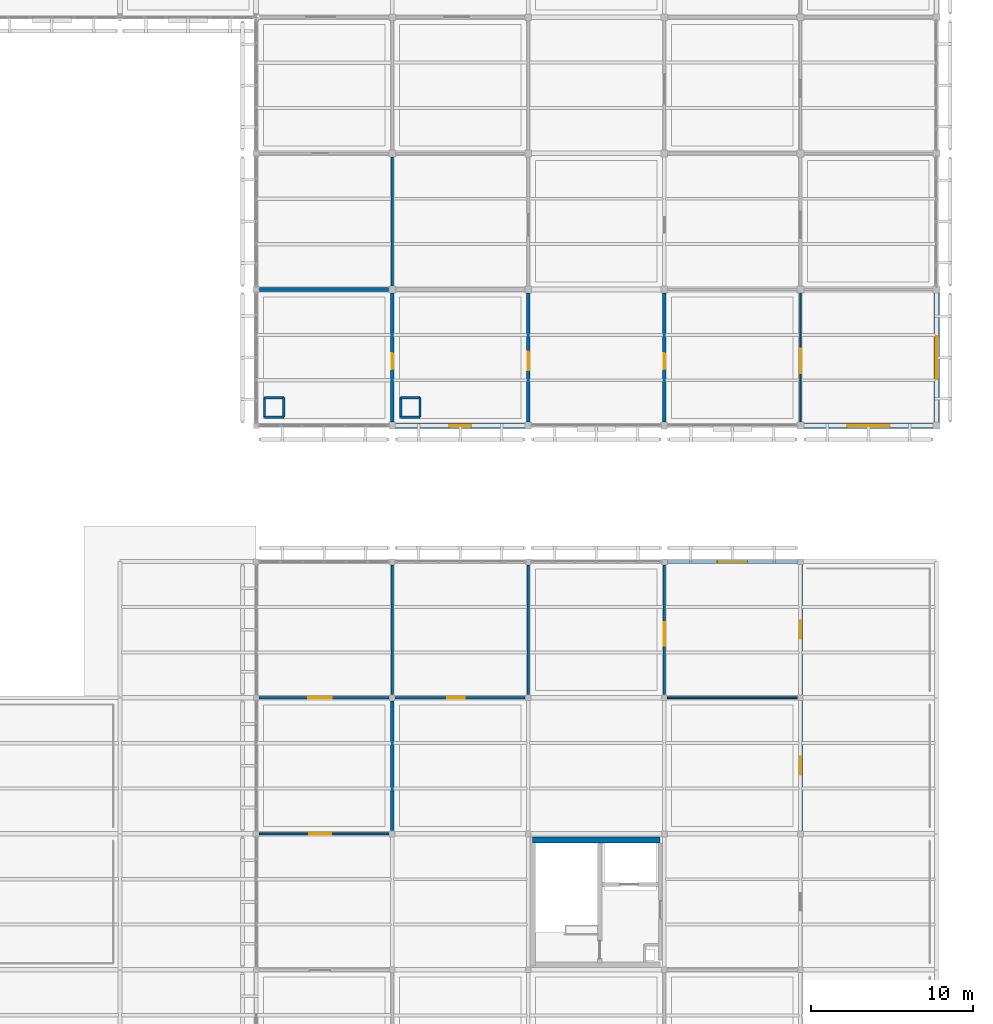
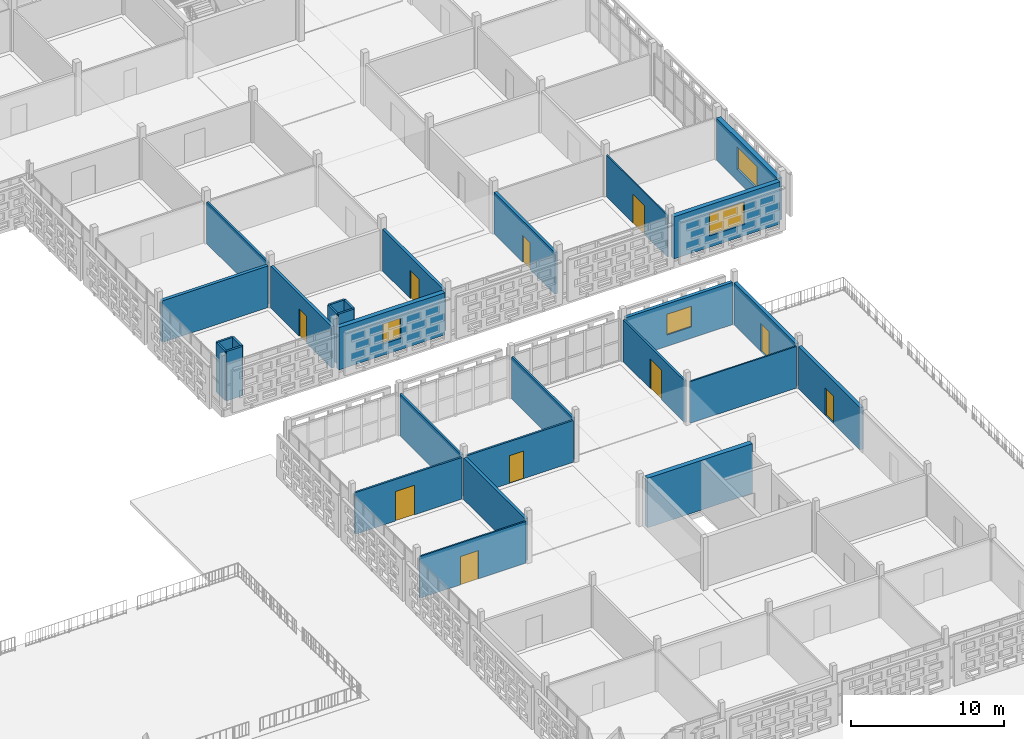
# One storey, part 104 of 166: 29 walls, 10 doors, 4 windows, 14 openings.
"""IFC4 building model written with IfcOpenShell, lengths in metres."""

from ifc_helpers import new_model, si_unit, direction, frame, frame_2d, origin, place, context, subcontext, project, spatial, rectangle, extrude, material, layer, layer_set, type_object, element, fill, save


model = new_model("IFC4")

# Units and contexts
model_context = context("Model", 3, precision=1e-05, world=origin(), true_north=direction((0.0, 1.0)))
body_context = subcontext(model_context, "Body", "Model", "MODEL_VIEW")
ifc_project = project(units=[si_unit("LENGTHUNIT", "METRE"), si_unit("AREAUNIT", "SQUARE_METRE"), si_unit("VOLUMEUNIT", "CUBIC_METRE"), si_unit("PLANEANGLEUNIT", "RADIAN"), si_unit("MASSUNIT", "GRAM", prefix="KILO")], contexts=[model_context])

# Site, building, storey
site_placement = place(None, origin())
site = spatial("IfcSite", under=ifc_project, at=site_placement, CompositionType="ELEMENT")
building_placement = place(site_placement, origin())
building = spatial("IfcBuilding", under=site, at=building_placement, Name="Varnapada Polytechnic", CompositionType="ELEMENT")
storey_placement = place(building_placement, frame((0.0, 0.0, 9.60009765625)))
storey = spatial("IfcBuildingStorey", under=building, at=storey_placement, Name="L02", CompositionType="ELEMENT", Elevation=9.60009765625)

# Walls
ifc_material_1 = material(Name="Autoclaved Aerated Concrete Block AAC-600", Category="concrete")
ifc_layer_1 = layer(ifc_material_1, 0.14990234375)
ifc_layer_set_1 = layer_set([ifc_layer_1], Name="Autoclaved Aerated Concrete Block AAC-600")
wall_type_1 = type_object("IfcWallType", Name="Interior Wall IW-02", PredefinedType="PARTITIONING", material=ifc_layer_set_1)
wall_1_placement = place(storey_placement, frame((134.919921875, 59.320068359375, 0.0), z_axis=(0.0, 0.0, 1.0), x_axis=(1.0, 0.0, 0.0)))
element("IfcWall", 1, at=wall_1_placement, inside=storey, type_object=wall_type_1, Name="L02 enclosed service riser wall (17,8) S", PredefinedType="PARTITIONING", context=body_context, shape_type="SweptSolid", body=[
    extrude(rectangle(XDim=1.2001953125, YDim=0.14990234375, at=frame_2d((0.60009765625, 0.0))), origin(), (0.0, 0.0, 1.0), 3.929931640625),
])
wall_2_placement = place(storey_placement, frame((136.1201171875, 59.320068359375, 0.0), z_axis=(0.0, 0.0, 1.0), x_axis=(0.0, 1.0, 0.0)))
element("IfcWall", 2, at=wall_2_placement, inside=storey, type_object=wall_type_1, Name="L02 enclosed service riser wall (17,8) E", PredefinedType="PARTITIONING", context=body_context, shape_type="SweptSolid", body=[
    extrude(rectangle(XDim=1.199951171875, YDim=0.14990234375, at=frame_2d((0.60009765625, 0.0))), origin(), (0.0, 0.0, 1.0), 3.929931640625),
])
wall_3_placement = place(storey_placement, frame((136.1201171875, 60.52001953125, 0.0), z_axis=(0.0, 0.0, 1.0), x_axis=(-1.0, 0.0, 0.0)))
element("IfcWall", 3, at=wall_3_placement, inside=storey, type_object=wall_type_1, Name="L02 enclosed service riser wall (17,8) N", PredefinedType="PARTITIONING", context=body_context, shape_type="SweptSolid", body=[
    extrude(rectangle(XDim=1.2001953125, YDim=0.14990234375, at=frame_2d((0.60009765625, 0.0))), origin(), (0.0, 0.0, 1.0), 3.929931640625),
])
wall_4_placement = place(storey_placement, frame((134.919921875, 60.52001953125, 0.0), z_axis=(0.0, 0.0, 1.0), x_axis=(0.0, -1.0, 0.0)))
element("IfcWall", 4, at=wall_4_placement, inside=storey, type_object=wall_type_1, Name="L02 enclosed service riser wall (17,8) W", PredefinedType="PARTITIONING", context=body_context, shape_type="SweptSolid", body=[
    extrude(rectangle(XDim=1.199951171875, YDim=0.14990234375, at=frame_2d((0.60009765625, 0.0))), origin(), (0.0, 0.0, 1.0), 3.929931640625),
])
for number, where, z_axis, x_axis, name in (
    (5, (143.320068359375, 59.320068359375, 0.0), (0.0, 0.0, 1.0), (1.0, 0.0, 0.0), "L02 enclosed service riser wall (18,8) S"),
    (6, (144.52001953125, 59.320068359375, 0.0), (0.0, 0.0, 1.0), (0.0, 1.0, 0.0), "L02 enclosed service riser wall (18,8) E"),
    (7, (144.52001953125, 60.52001953125, 0.0), (0.0, 0.0, 1.0), (-1.0, 0.0, 0.0), "L02 enclosed service riser wall (18,8) N"),
    (8, (143.320068359375, 60.52001953125, 0.0), (0.0, 0.0, 1.0), (0.0, -1.0, 0.0), "L02 enclosed service riser wall (18,8) W"),
):
    element("IfcWall", number, at=place(storey_placement, frame(where, z_axis=z_axis, x_axis=x_axis)), inside=storey, type_object=wall_type_1, Name=name, PredefinedType="PARTITIONING", context=body_context, shape_type="SweptSolid", body=[
        extrude(rectangle(XDim=1.199951171875, YDim=0.14990234375, at=frame_2d((0.60009765625, 0.0))), origin(), (0.0, 0.0, 1.0), 3.9599609375),
    ])
wall_5_placement = place(storey_placement, frame((142.800048828125, 67.429931640625, 0.0), z_axis=(0.0, 0.0, 1.0), x_axis=(0.0, 1.0, 0.0)))
element("IfcWall", 9, at=wall_5_placement, inside=storey, type_object=wall_type_1, Name="L02 interior partition IW-L02-16-08-V", PredefinedType="PARTITIONING", context=body_context, shape_type="SweptSolid", body=[
    extrude(rectangle(XDim=7.940185546875, YDim=0.14990234375, at=frame_2d((3.97021484375, 0.0))), origin(), (0.0, 0.0, 1.0), 3.31982421875),
])
ifc_material_2 = material(Name="Glazed Timber-Framed Studio Screen", Category="wood")
ifc_layer_2 = layer(ifc_material_2, 0.110107421875)
ifc_layer_set_2 = layer_set([ifc_layer_2], Name="Glazed Timber-Framed Studio Screen")
wall_type_2 = type_object("IfcWallType", Name="Interior Wall IW-07", PredefinedType="PARTITIONING", material=ifc_layer_set_2)
wall_6_placement = place(storey_placement, frame((159.7900390625, 42.0, 0.0), z_axis=(0.0, 0.0, 1.0), x_axis=(1.0, 0.0, 0.0)))
element("IfcWall", 10, at=wall_6_placement, inside=storey, type_object=wall_type_2, Name="L02 interior partition IW-L02-19-04-H", PredefinedType="PARTITIONING", context=body_context, shape_type="SweptSolid", body=[
    extrude(rectangle(XDim=8.02001953125, YDim=0.110107421875, at=frame_2d((4.010009765625, 0.0))), origin(), (0.0, 0.0, 1.0), 3.31982421875),
])

# Wall, opening, door
ifc_material_3 = material(Name="Operable Acoustic Seminar Partition")
ifc_layer_3 = layer(ifc_material_3, 0.10009765625)
ifc_layer_set_3 = layer_set([ifc_layer_3], Name="Operable Acoustic Seminar Partition")
wall_type_3 = type_object("IfcWallType", Name="Interior Wall IW-08", PredefinedType="MOVABLE", material=ifc_layer_set_3)
wall_7_placement = place(storey_placement, frame((168.0, 59.030029296875, 0.0), z_axis=(0.0, 0.0, 1.0), x_axis=(0.0, 1.0, 0.0)))
wall_7 = element("IfcWall", 11, at=wall_7_placement, inside=storey, type_object=wall_type_3, Name="L02 interior partition IW-L02-19-07-V", PredefinedType="MOVABLE", context=body_context, shape_type="SweptSolid", body=[
    extrude(rectangle(XDim=7.93994140625, YDim=0.10009765625, at=frame_2d((3.969970703125, 0.0))), origin(), (0.0, 0.0, 1.0), 3.31982421875),
])
opening_1_placement = place(wall_7_placement, frame((3.0, 0.0, 0.0)))
opening_1 = element("IfcOpeningElement", 12, at=opening_1_placement, cuts=wall_7, Name="Opening D-1178", PredefinedType="OPENING", context=body_context, shape_type="SweptSolid", body=[
    extrude(rectangle(XDim=1.5, YDim=2.300048828125, at=frame_2d((0.75, 1.14990234375))), frame((0.0, 0.06005859375, 0.0), z_axis=(0.0, -1.0, 0.0), x_axis=(1.0, 0.0, 0.0)), (0.0, 0.0, 1.0), 0.1201171875),
])
ifc_material_4 = material(Name="Galvanized Steel Z275", Category="steel")
door_type_1 = type_object("IfcDoorType", Name="Interior Door ID-07", OperationType="NOTDEFINED", PredefinedType="DOOR", material=ifc_material_4)
door_1_placement = place(opening_1_placement, frame((1.5, 0.0, 0.0), z_axis=(0.0, 0.0, 1.0), x_axis=(-1.0, 0.0, 0.0)))
door_1 = element("IfcDoor", 13, at=door_1_placement, inside=storey, type_object=door_type_1, Name="L02 interior room door D-1178", OperationType="SINGLE_SWING_LEFT", OverallHeight=2.300048828125, OverallWidth=1.5, PredefinedType="DOOR", context=body_context, shape_type="SweptSolid", body=[
    extrude(rectangle(XDim=1.5, YDim=2.300048828125, at=frame_2d((0.75, 1.14990234375))), frame((0.0, 0.02490234375, 0.0), z_axis=(0.0, -1.0, 0.0), x_axis=(1.0, 0.0, 0.0)), (0.0, 0.0, 1.0), 0.050048828125),
])
fill(opening_1, door_1)

ifc_material_5 = material(Name="Timber-Stud Studio Critique Partition", Category="wood")
ifc_layer_4 = layer(ifc_material_5, 0.114990234375)
ifc_layer_set_4 = layer_set([ifc_layer_4], Name="Timber-Stud Studio Critique Partition")
wall_type_4 = type_object("IfcWallType", Name="Interior Wall IW-12", PredefinedType="PARTITIONING", material=ifc_layer_set_4)
wall_8_placement = place(storey_placement, frame((134.60009765625, 33.60009765625, 0.0), z_axis=(0.0, 0.0, 1.0), x_axis=(1.0, 0.0, 0.0)))
wall_8 = element("IfcWall", 14, at=wall_8_placement, inside=storey, type_object=wall_type_4, Name="L02 interior partition IW-L02-16-03-H", PredefinedType="PARTITIONING", context=body_context, shape_type="SweptSolid", body=[
    extrude(rectangle(XDim=8.0, YDim=0.114990234375, at=frame_2d((4.0, 0.0))), origin(), (0.0, 0.0, 1.0), 3.31982421875),
])
opening_2_placement = place(wall_8_placement, frame((3.074951171875, 0.0, 0.0)))
opening_2 = element("IfcOpeningElement", 15, at=opening_2_placement, cuts=wall_8, Name="Opening D-1154", PredefinedType="OPENING", context=body_context, shape_type="SweptSolid", body=[
    extrude(rectangle(XDim=1.35009765625, YDim=2.25, at=frame_2d((0.675048828125, 1.125))), frame((0.0, 0.0673828125, 0.0), z_axis=(0.0, -1.0, 0.0), x_axis=(1.0, 0.0, 0.0)), (0.0, 0.0, 1.0), 0.135009765625),
])
ifc_material_6 = material(Name="Powder-Coated Aluminium 6063-T6", Category="aluminium")
door_type_2 = type_object("IfcDoorType", Name="Interior Door ID-17", OperationType="NOTDEFINED", PredefinedType="DOOR", material=ifc_material_6)
door_2_placement = place(opening_2_placement, frame((1.35009765625, 0.0, 0.0), z_axis=(0.0, 0.0, 1.0), x_axis=(-1.0, 0.0, 0.0)))
door_2 = element("IfcDoor", 16, at=door_2_placement, inside=storey, type_object=door_type_2, Name="L02 interior room door D-1154", OperationType="SINGLE_SWING_LEFT", OverallHeight=2.25, OverallWidth=1.35009765625, PredefinedType="DOOR", context=body_context, shape_type="SweptSolid", body=[
    extrude(rectangle(XDim=1.35009765625, YDim=2.25, at=frame_2d((0.675048828125, 1.125))), frame((0.0, 0.02490234375, 0.0), z_axis=(0.0, -1.0, 0.0), x_axis=(1.0, 0.0, 0.0)), (0.0, 0.0, 1.0), 0.050048828125),
])
fill(opening_2, door_2)

# Wall
ifc_material_7 = material(Name="Heavy Acoustic Auditorium Baffle Wall")
ifc_layer_5 = layer(ifc_material_7, 0.219970703125)
ifc_layer_set_5 = layer_set([ifc_layer_5], Name="Heavy Acoustic Auditorium Baffle Wall")
wall_type_5 = type_object("IfcWallType", Name="Interior Wall IW-13", PredefinedType="PARTITIONING", material=ifc_layer_set_5)
wall_9_placement = place(storey_placement, frame((142.800048828125, 33.800048828125, 0.0), z_axis=(0.0, 0.0, 1.0), x_axis=(0.0, 1.0, 0.0)))
element("IfcWall", 17, at=wall_9_placement, inside=storey, type_object=wall_type_5, Name="L02 interior partition IW-L02-16-04-V", PredefinedType="PARTITIONING", context=body_context, shape_type="SweptSolid", body=[
    extrude(rectangle(XDim=8.010009765625, YDim=0.219970703125, at=frame_2d((4.0048828125, 0.0))), origin(), (0.0, 0.0, 1.0), 3.31982421875),
])

# Wall, opening, door
ifc_material_8 = material(Name="Ceramic-Tiled Wet Laboratory Wall")
ifc_layer_6 = layer(ifc_material_8, 0.14501953125)
ifc_layer_set_6 = layer_set([ifc_layer_6], Name="Ceramic-Tiled Wet Laboratory Wall")
wall_type_6 = type_object("IfcWallType", Name="Interior Wall IW-14", PredefinedType="PARTITIONING", material=ifc_layer_set_6)
wall_10_placement = place(storey_placement, frame((134.590087890625, 42.0, 0.0), z_axis=(0.0, 0.0, 1.0), x_axis=(1.0, 0.0, 0.0)))
wall_10 = element("IfcWall", 18, at=wall_10_placement, inside=storey, type_object=wall_type_6, Name="L02 interior partition IW-L02-16-04-H", PredefinedType="PARTITIONING", context=body_context, shape_type="SweptSolid", body=[
    extrude(rectangle(XDim=8.02001953125, YDim=0.14501953125, at=frame_2d((4.010009765625, 0.0))), origin(), (0.0, 0.0, 1.0), 3.31982421875),
])
opening_3_placement = place(wall_10_placement, frame((3.02490234375, 0.0, 0.0)))
opening_3 = element("IfcOpeningElement", 19, at=opening_3_placement, cuts=wall_10, Name="Opening D-1155", PredefinedType="OPENING", context=body_context, shape_type="SweptSolid", body=[
    extrude(rectangle(XDim=1.449951171875, YDim=2.35009765625, at=frame_2d((0.72509765625, 1.175048828125))), frame((0.0, 0.08251953125, 0.0), z_axis=(0.0, -1.0, 0.0), x_axis=(1.0, 0.0, 0.0)), (0.0, 0.0, 1.0), 0.1650390625),
])
door_type_3 = type_object("IfcDoorType", Name="Interior Door ID-18", OperationType="NOTDEFINED", PredefinedType="DOOR", material=ifc_material_4)
door_3_placement = place(opening_3_placement, origin())
door_3 = element("IfcDoor", 20, at=door_3_placement, inside=storey, type_object=door_type_3, Name="L02 interior room door D-1155", OperationType="SINGLE_SWING_RIGHT", OverallHeight=2.35009765625, OverallWidth=1.449951171875, PredefinedType="DOOR", context=body_context, shape_type="SweptSolid", body=[
    extrude(rectangle(XDim=1.449951171875, YDim=2.35009765625, at=frame_2d((0.72509765625, 1.175048828125))), frame((0.0, 0.02490234375, 0.0), z_axis=(0.0, -1.0, 0.0), x_axis=(1.0, 0.0, 0.0)), (0.0, 0.0, 1.0), 0.050048828125),
])
fill(opening_3, door_3)

wall_11_placement = place(storey_placement, frame((142.989990234375, 42.0, 0.0), z_axis=(0.0, 0.0, 1.0), x_axis=(1.0, 0.0, 0.0)))
wall_11 = element("IfcWall", 21, at=wall_11_placement, inside=storey, type_object=wall_type_6, Name="L02 interior partition IW-L02-17-04-H", PredefinedType="PARTITIONING", context=body_context, shape_type="SweptSolid", body=[
    extrude(rectangle(XDim=8.02001953125, YDim=0.14501953125, at=frame_2d((4.010009765625, 0.0))), origin(), (0.0, 0.0, 1.0), 3.31982421875),
])
opening_4_placement = place(wall_11_placement, frame((3.22509765625, 0.0, 0.0)))
opening_4 = element("IfcOpeningElement", 22, at=opening_4_placement, cuts=wall_11, Name="Opening D-1163", PredefinedType="OPENING", context=body_context, shape_type="SweptSolid", body=[
    extrude(rectangle(XDim=1.050048828125, YDim=2.199951171875, at=frame_2d((0.52490234375, 1.10009765625))), frame((0.0, 0.08251953125, 0.0), z_axis=(0.0, -1.0, 0.0), x_axis=(1.0, 0.0, 0.0)), (0.0, 0.0, 1.0), 0.1650390625),
])
ifc_material_9 = material(Name="Solid Teak Hardwood Timber", Category="wood")
door_type_4 = type_object("IfcDoorType", Name="Interior Door ID-09", OperationType="NOTDEFINED", PredefinedType="DOOR", material=ifc_material_9)
door_4_placement = place(opening_4_placement, frame((1.050048828125, 0.0, 0.0), z_axis=(0.0, 0.0, 1.0), x_axis=(-1.0, 0.0, 0.0)))
door_4 = element("IfcDoor", 23, at=door_4_placement, inside=storey, type_object=door_type_4, Name="L02 interior room door D-1163", OperationType="SINGLE_SWING_RIGHT", OverallHeight=2.199951171875, OverallWidth=1.050048828125, PredefinedType="DOOR", context=body_context, shape_type="SweptSolid", body=[
    extrude(rectangle(XDim=1.050048828125, YDim=2.199951171875, at=frame_2d((0.52490234375, 1.10009765625))), frame((0.0, 0.02490234375, 0.0), z_axis=(0.0, -1.0, 0.0), x_axis=(1.0, 0.0, 0.0)), (0.0, 0.0, 1.0), 0.050048828125),
])
fill(opening_4, door_4)

# Walls
ifc_material_10 = material(Name="Perforated Timber-Lined Seminar Wall", Category="wood")
ifc_layer_7 = layer(ifc_material_10, 0.155029296875)
ifc_layer_set_7 = layer_set([ifc_layer_7], Name="Perforated Timber-Lined Seminar Wall")
wall_type_7 = type_object("IfcWallType", Name="Interior Wall IW-15", PredefinedType="PARTITIONING", material=ifc_layer_set_7)
for number, where, z_axis, x_axis, name in (
    (24, (142.800048828125, 42.18994140625, 0.0), (0.0, 0.0, 1.0), (0.0, 1.0, 0.0), "L02 interior partition IW-L02-16-05-V"),
    (25, (151.199951171875, 42.18994140625, 0.0), (0.0, 0.0, 1.0), (0.0, 1.0, 0.0), "L02 interior partition IW-L02-17-05-V"),
):
    element("IfcWall", number, at=place(storey_placement, frame(where, z_axis=z_axis, x_axis=x_axis)), inside=storey, type_object=wall_type_7, Name=name, PredefinedType="PARTITIONING", context=body_context, shape_type="SweptSolid", body=[
        extrude(rectangle(XDim=8.010009765625, YDim=0.155029296875, at=frame_2d((4.0048828125, 0.0))), origin(), (0.0, 0.0, 1.0), 3.31982421875),
    ])

# Wall, opening, door
wall_12_placement = place(storey_placement, frame((159.60009765625, 42.18994140625, 0.0), z_axis=(0.0, 0.0, 1.0), x_axis=(0.0, 1.0, 0.0)))
wall_12 = element("IfcWall", 26, at=wall_12_placement, inside=storey, type_object=wall_type_7, Name="L02 interior partition IW-L02-18-05-V", PredefinedType="PARTITIONING", context=body_context, shape_type="SweptSolid", body=[
    extrude(rectangle(XDim=8.010009765625, YDim=0.155029296875, at=frame_2d((4.0048828125, 0.0))), origin(), (0.0, 0.0, 1.0), 3.31982421875),
])
opening_5_placement = place(wall_12_placement, frame((3.02490234375, 0.0, 0.0)))
opening_5 = element("IfcOpeningElement", 27, at=opening_5_placement, cuts=wall_12, Name="Opening D-1172", PredefinedType="OPENING", context=body_context, shape_type="SweptSolid", body=[
    extrude(rectangle(XDim=1.449951171875, YDim=2.35009765625, at=frame_2d((0.72509765625, 1.175048828125))), frame((0.0, 0.08740234375, 0.0), z_axis=(0.0, -1.0, 0.0), x_axis=(1.0, 0.0, 0.0)), (0.0, 0.0, 1.0), 0.175048828125),
])
door_5_placement = place(opening_5_placement, frame((1.449951171875, 0.0, 0.0), z_axis=(0.0, 0.0, 1.0), x_axis=(-1.0, 0.0, 0.0)))
door_5 = element("IfcDoor", 28, at=door_5_placement, inside=storey, type_object=door_type_3, Name="L02 interior room door D-1172", OperationType="SINGLE_SWING_LEFT", OverallHeight=2.35009765625, OverallWidth=1.449951171875, PredefinedType="DOOR", context=body_context, shape_type="SweptSolid", body=[
    extrude(rectangle(XDim=1.449951171875, YDim=2.35009765625, at=frame_2d((0.72509765625, 1.175048828125))), frame((0.0, 0.02490234375, 0.0), z_axis=(0.0, -1.0, 0.0), x_axis=(1.0, 0.0, 0.0)), (0.0, 0.0, 1.0), 0.050048828125),
])
fill(opening_5, door_5)

ifc_material_11 = material(Name="Heavy Masonry Workshop Partition", Category="masonry")
ifc_layer_8 = layer(ifc_material_11, 0.2099609375)
ifc_layer_set_8 = layer_set([ifc_layer_8], Name="Heavy Masonry Workshop Partition")
wall_type_8 = type_object("IfcWallType", Name="Interior Wall IW-16", PredefinedType="PARTITIONING", material=ifc_layer_set_8)
wall_13_placement = place(storey_placement, frame((142.800048828125, 59.030029296875, 0.0), z_axis=(0.0, 0.0, 1.0), x_axis=(0.0, 1.0, 0.0)))
wall_13 = element("IfcWall", 29, at=wall_13_placement, inside=storey, type_object=wall_type_8, Name="L02 interior partition IW-L02-16-07-V", PredefinedType="PARTITIONING", context=body_context, shape_type="SweptSolid", body=[
    extrude(rectangle(XDim=7.93994140625, YDim=0.2099609375, at=frame_2d((3.969970703125, 0.0))), origin(), (0.0, 0.0, 1.0), 3.31982421875),
])
opening_6_placement = place(wall_13_placement, frame((3.25, 0.0, 0.0)))
opening_6 = element("IfcOpeningElement", 30, at=opening_6_placement, cuts=wall_13, Name="Opening D-1156", PredefinedType="OPENING", context=body_context, shape_type="SweptSolid", body=[
    extrude(rectangle(XDim=1.0, YDim=2.14990234375, at=frame_2d((0.5, 1.074951171875))), frame((0.0, 0.114990234375, 0.0), z_axis=(0.0, -1.0, 0.0), x_axis=(1.0, 0.0, 0.0)), (0.0, 0.0, 1.0), 0.22998046875),
])
door_type_5 = type_object("IfcDoorType", Name="Interior Door ID-02", OperationType="NOTDEFINED", PredefinedType="DOOR", material=ifc_material_9)
door_6_placement = place(opening_6_placement, origin())
door_6 = element("IfcDoor", 31, at=door_6_placement, inside=storey, type_object=door_type_5, Name="L02 interior room door D-1156", OperationType="SINGLE_SWING_LEFT", OverallHeight=2.14990234375, OverallWidth=1.0, PredefinedType="DOOR", context=body_context, shape_type="SweptSolid", body=[
    extrude(rectangle(XDim=1.0, YDim=2.14990234375, at=frame_2d((0.5, 1.074951171875))), frame((0.0, 0.02490234375, 0.0), z_axis=(0.0, -1.0, 0.0), x_axis=(1.0, 0.0, 0.0)), (0.0, 0.0, 1.0), 0.050048828125),
])
fill(opening_6, door_6)

wall_14_placement = place(storey_placement, frame((151.199951171875, 59.030029296875, 0.0), z_axis=(0.0, 0.0, 1.0), x_axis=(0.0, 1.0, 0.0)))
wall_14 = element("IfcWall", 32, at=wall_14_placement, inside=storey, type_object=wall_type_8, Name="L02 interior partition IW-L02-17-07-V", PredefinedType="PARTITIONING", context=body_context, shape_type="SweptSolid", body=[
    extrude(rectangle(XDim=7.93994140625, YDim=0.2099609375, at=frame_2d((3.969970703125, 0.0))), origin(), (0.0, 0.0, 1.0), 3.31982421875),
])
opening_7_placement = place(wall_14_placement, frame((3.175048828125, 0.0, 0.0)))
opening_7 = element("IfcOpeningElement", 33, at=opening_7_placement, cuts=wall_14, Name="Opening D-1164", PredefinedType="OPENING", context=body_context, shape_type="SweptSolid", body=[
    extrude(rectangle(XDim=1.14990234375, YDim=2.25, at=frame_2d((0.574951171875, 1.125))), frame((0.0, 0.114990234375, 0.0), z_axis=(0.0, -1.0, 0.0), x_axis=(1.0, 0.0, 0.0)), (0.0, 0.0, 1.0), 0.22998046875),
])
door_type_6 = type_object("IfcDoorType", Name="Interior Door ID-10", OperationType="NOTDEFINED", PredefinedType="DOOR", material=ifc_material_6)
door_7_placement = place(opening_7_placement, origin())
door_7 = element("IfcDoor", 34, at=door_7_placement, inside=storey, type_object=door_type_6, Name="L02 interior room door D-1164", OperationType="SINGLE_SWING_LEFT", OverallHeight=2.25, OverallWidth=1.14990234375, PredefinedType="DOOR", context=body_context, shape_type="SweptSolid", body=[
    extrude(rectangle(XDim=1.14990234375, YDim=2.25, at=frame_2d((0.574951171875, 1.125))), frame((0.0, 0.02490234375, 0.0), z_axis=(0.0, -1.0, 0.0), x_axis=(1.0, 0.0, 0.0)), (0.0, 0.0, 1.0), 0.050048828125),
])
fill(opening_7, door_7)

wall_15_placement = place(storey_placement, frame((159.60009765625, 59.030029296875, 0.0), z_axis=(0.0, 0.0, 1.0), x_axis=(0.0, 1.0, 0.0)))
wall_15 = element("IfcWall", 35, at=wall_15_placement, inside=storey, type_object=wall_type_8, Name="L02 interior partition IW-L02-18-07-V", PredefinedType="PARTITIONING", context=body_context, shape_type="SweptSolid", body=[
    extrude(rectangle(XDim=7.93994140625, YDim=0.2099609375, at=frame_2d((3.969970703125, 0.0))), origin(), (0.0, 0.0, 1.0), 3.31982421875),
])
opening_8_placement = place(wall_15_placement, frame((3.25, 0.0, 0.0)))
opening_8 = element("IfcOpeningElement", 36, at=opening_8_placement, cuts=wall_15, Name="Opening D-1173", PredefinedType="OPENING", context=body_context, shape_type="SweptSolid", body=[
    extrude(rectangle(XDim=1.0, YDim=2.14990234375, at=frame_2d((0.5, 1.074951171875))), frame((0.0, 0.114990234375, 0.0), z_axis=(0.0, -1.0, 0.0), x_axis=(1.0, 0.0, 0.0)), (0.0, 0.0, 1.0), 0.22998046875),
])
door_8_placement = place(opening_8_placement, origin())
door_8 = element("IfcDoor", 37, at=door_8_placement, inside=storey, type_object=door_type_5, Name="L02 interior room door D-1173", OperationType="SINGLE_SWING_RIGHT", OverallHeight=2.14990234375, OverallWidth=1.0, PredefinedType="DOOR", context=body_context, shape_type="SweptSolid", body=[
    extrude(rectangle(XDim=1.0, YDim=2.14990234375, at=frame_2d((0.5, 1.074951171875))), frame((0.0, 0.02490234375, 0.0), z_axis=(0.0, -1.0, 0.0), x_axis=(1.0, 0.0, 0.0)), (0.0, 0.0, 1.0), 0.050048828125),
])
fill(opening_8, door_8)

# Walls
ifc_material_12 = material(Name="Double-Leaf Acoustic Lecture Wall")
ifc_layer_9 = layer(ifc_material_12, 0.235107421875)
ifc_layer_set_9 = layer_set([ifc_layer_9], Name="Double-Leaf Acoustic Lecture Wall")
wall_type_9 = type_object("IfcWallType", Name="Interior Wall IW-17", PredefinedType="PARTITIONING", material=ifc_layer_set_9)
wall_16_placement = place(storey_placement, frame((134.610107421875, 67.199951171875, 0.0), z_axis=(0.0, 0.0, 1.0), x_axis=(1.0, 0.0, 0.0)))
element("IfcWall", 38, at=wall_16_placement, inside=storey, type_object=wall_type_9, Name="L02 interior partition IW-L02-16-07-H", PredefinedType="PARTITIONING", context=body_context, shape_type="SweptSolid", body=[
    extrude(rectangle(XDim=7.9599609375, YDim=0.235107421875, at=frame_2d((3.97998046875, 0.0))), origin(), (0.0, 0.0, 1.0), 3.31982421875),
])
ifc_material_13 = material(Name="Concrete C40/50", Category="concrete")
ifc_layer_10 = layer(ifc_material_13, 0.35009765625)
ifc_layer_set_10 = layer_set([ifc_layer_10], Name="Concrete C40/50")
wall_type_10 = type_object("IfcWallType", Name="Interior Wall SW-01", PredefinedType="SHEAR", material=ifc_layer_set_10)
wall_17_placement = place(storey_placement, frame((151.465087890625, 33.219970703125, 0.0), z_axis=(0.0, 0.0, 1.0), x_axis=(1.0, 0.0, 0.0)))
element("IfcWall", 39, at=wall_17_placement, inside=storey, type_object=wall_type_10, Name="L02 C6 core north shear wall", PredefinedType="SHEAR", context=body_context, shape_type="SweptSolid", body=[
    extrude(rectangle(XDim=7.875, YDim=0.35009765625, at=frame_2d((3.9375, 0.0))), origin(), (0.0, 0.0, 1.0), 3.949951171875),
])

# Wall, opening, door
ifc_material_14 = material(Name="Precast concrete C40/50", Category="concrete")
ifc_layer_11 = layer(ifc_material_14, 0.25)
ifc_layer_set_11 = layer_set([ifc_layer_11], Name="Precast concrete C40/50")
wall_type_11 = type_object("IfcWallType", Name="Wall EW-05", PredefinedType="SOLIDWALL", material=ifc_layer_set_11)
wall_18_placement = place(storey_placement, frame((168.0, 41.830078125, 0.0), z_axis=(0.0, 0.0, 1.0), x_axis=(0.0, -1.0, 0.0)))
wall_18 = element("IfcWall", 40, at=wall_18_placement, inside=storey, type_object=wall_type_11, Name="L02 exterior wall EW-05 (103)", PredefinedType="SOLIDWALL", context=body_context, shape_type="SweptSolid", body=[
    extrude(rectangle(XDim=8.050048828125, YDim=0.25, at=frame_2d((4.02490234375, 0.0))), origin(), (0.0, 0.0, 1.0), 3.35986328125),
])
opening_9_placement = place(wall_18_placement, frame((3.47509765625, 0.0, 0.0)))
opening_9 = element("IfcOpeningElement", 41, at=opening_9_placement, cuts=wall_18, Name="Opening D-033", PredefinedType="OPENING", context=body_context, shape_type="SweptSolid", body=[
    extrude(rectangle(XDim=1.10009765625, YDim=2.199951171875, at=frame_2d((0.550048828125, 1.10009765625))), frame((0.0, 0.135009765625, 0.0), z_axis=(0.0, -1.0, 0.0), x_axis=(1.0, 0.0, 0.0)), (0.0, 0.0, 1.0), 0.27001953125),
])
ifc_material_15 = material(Name="Anodised aluminium and laminated glass", Category="aluminium")
door_type_7 = type_object("IfcDoorType", Name="Exterior Door ED-03", OperationType="NOTDEFINED", PredefinedType="DOOR", material=ifc_material_15)
door_9_placement = place(opening_9_placement, origin())
door_9 = element("IfcDoor", 42, at=door_9_placement, inside=storey, type_object=door_type_7, Name="L02 roof terrace access door D-033", OperationType="SINGLE_SWING_LEFT", OverallHeight=2.199951171875, OverallWidth=1.10009765625, PredefinedType="DOOR", context=body_context, shape_type="SweptSolid", body=[
    extrude(rectangle(XDim=1.10009765625, YDim=2.199951171875, at=frame_2d((0.550048828125, 1.10009765625))), frame((0.0, 0.02490234375, 0.0), z_axis=(0.0, -1.0, 0.0), x_axis=(1.0, 0.0, 0.0)), (0.0, 0.0, 1.0), 0.050048828125),
])
fill(opening_9, door_9)

# Wall, opening, window
wall_19_placement = place(storey_placement, frame((159.780029296875, 50.39990234375, 0.0), z_axis=(0.0, 0.0, 1.0), x_axis=(1.0, 0.0, 0.0)))
wall_19 = element("IfcWall", 43, at=wall_19_placement, inside=storey, type_object=wall_type_11, Name="L02 exterior wall EW-05 (104)", PredefinedType="SOLIDWALL", context=body_context, shape_type="SweptSolid", body=[
    extrude(rectangle(XDim=8.0400390625, YDim=0.25, at=frame_2d((4.02001953125, 0.0))), origin(), (0.0, 0.0, 1.0), 3.35986328125),
])
opening_10_placement = place(wall_19_placement, frame((3.094970703125, 0.0, 0.89990234375)))
opening_10 = element("IfcOpeningElement", 44, at=opening_10_placement, cuts=wall_19, Name="Opening WN-24", PredefinedType="OPENING", context=body_context, shape_type="SweptSolid", body=[
    extrude(rectangle(XDim=1.85009765625, YDim=1.64990234375, at=frame_2d((0.925048828125, 0.824951171875))), frame((0.0, 0.135009765625, 0.0), z_axis=(0.0, -1.0, 0.0), x_axis=(1.0, 0.0, 0.0)), (0.0, 0.0, 1.0), 0.27001953125),
])
ifc_material_16 = material(Name="Double low-E laminated glass", Category="glass")
window_type_1 = type_object("IfcWindowType", Name="Window WN-24", PartitioningType="SINGLE_PANEL", PredefinedType="WINDOW", material=ifc_material_16)
window_1_placement = place(opening_10_placement, origin())
window_1 = element("IfcWindow", 45, at=window_1_placement, inside=storey, type_object=window_type_1, Name="L02 window WN-24 (126)", OverallHeight=1.64990234375, OverallWidth=1.85009765625, PartitioningType="SINGLE_PANEL", PredefinedType="WINDOW", context=body_context, shape_type="SweptSolid", body=[
    extrude(rectangle(XDim=1.85009765625, YDim=1.64990234375, at=frame_2d((0.925048828125, 0.824951171875))), frame((0.0, 0.030029296875, 0.0), z_axis=(0.0, -1.0, 0.0), x_axis=(1.0, 0.0, 0.0)), (0.0, 0.0, 1.0), 0.06005859375),
])
fill(opening_10, window_1)

# Wall, opening, door
wall_20_placement = place(storey_placement, frame((168.0, 50.219970703125, 0.0), z_axis=(0.0, 0.0, 1.0), x_axis=(0.0, -1.0, 0.0)))
wall_20 = element("IfcWall", 46, at=wall_20_placement, inside=storey, type_object=wall_type_11, Name="L02 exterior wall EW-05 (105)", PredefinedType="SOLIDWALL", context=body_context, shape_type="SweptSolid", body=[
    extrude(rectangle(XDim=8.050048828125, YDim=0.25, at=frame_2d((4.02490234375, 0.0))), origin(), (0.0, 0.0, 1.0), 3.35986328125),
])
opening_11_placement = place(wall_20_placement, frame((3.47509765625, 0.0, 0.0)))
opening_11 = element("IfcOpeningElement", 47, at=opening_11_placement, cuts=wall_20, Name="Opening D-034", PredefinedType="OPENING", context=body_context, shape_type="SweptSolid", body=[
    extrude(rectangle(XDim=1.10009765625, YDim=2.199951171875, at=frame_2d((0.550048828125, 1.10009765625))), frame((0.0, 0.135009765625, 0.0), z_axis=(0.0, -1.0, 0.0), x_axis=(1.0, 0.0, 0.0)), (0.0, 0.0, 1.0), 0.27001953125),
])
door_10_placement = place(opening_11_placement, origin())
door_10 = element("IfcDoor", 48, at=door_10_placement, inside=storey, type_object=door_type_7, Name="L02 roof terrace access door D-034", OperationType="SINGLE_SWING_RIGHT", OverallHeight=2.199951171875, OverallWidth=1.10009765625, PredefinedType="DOOR", context=body_context, shape_type="SweptSolid", body=[
    extrude(rectangle(XDim=1.10009765625, YDim=2.199951171875, at=frame_2d((0.550048828125, 1.10009765625))), frame((0.0, 0.02490234375, 0.0), z_axis=(0.0, -1.0, 0.0), x_axis=(1.0, 0.0, 0.0)), (0.0, 0.0, 1.0), 0.050048828125),
])
fill(opening_11, door_10)

# Wall, opening, window
ifc_layer_12 = layer(ifc_material_14, 0.340087890625)
ifc_layer_set_12 = layer_set([ifc_layer_12], Name="Precast concrete C40/50")
wall_type_12 = type_object("IfcWallType", Name="Wall EW-07", PredefinedType="SOLIDWALL", material=ifc_layer_set_12)
wall_21_placement = place(storey_placement, frame((150.989990234375, 58.800048828125, 0.0), z_axis=(0.0, 0.0, 1.0), x_axis=(-1.0, 0.0, 0.0)))
wall_21 = element("IfcWall", 49, at=wall_21_placement, inside=storey, type_object=wall_type_12, Name="L02 exterior wall EW-07 (93)", PredefinedType="SOLIDWALL", context=body_context, shape_type="SweptSolid", body=[
    extrude(rectangle(XDim=7.97998046875, YDim=0.340087890625, at=frame_2d((3.989990234375, 0.0))), origin(), (0.0, 0.0, 1.0), 3.35986328125),
])
opening_12_placement = place(wall_21_placement, frame((3.31494140625, 0.0, 0.89990234375)))
opening_12 = element("IfcOpeningElement", 50, at=opening_12_placement, cuts=wall_21, Name="Opening WN-20", PredefinedType="OPENING", context=body_context, shape_type="SweptSolid", body=[
    extrude(rectangle(XDim=1.35009765625, YDim=1.60009765625, at=frame_2d((0.675048828125, 0.800048828125))), frame((0.0, 0.179931640625, 0.0), z_axis=(0.0, -1.0, 0.0), x_axis=(1.0, 0.0, 0.0)), (0.0, 0.0, 1.0), 0.360107421875),
])
window_type_2 = type_object("IfcWindowType", Name="Window WN-20", PartitioningType="SINGLE_PANEL", PredefinedType="WINDOW", material=ifc_material_16)
window_2_placement = place(opening_12_placement, origin())
window_2 = element("IfcWindow", 51, at=window_2_placement, inside=storey, type_object=window_type_2, Name="L02 window WN-20 (124)", OverallHeight=1.60009765625, OverallWidth=1.35009765625, PartitioningType="SINGLE_PANEL", PredefinedType="WINDOW", context=body_context, shape_type="SweptSolid", body=[
    extrude(rectangle(XDim=1.35009765625, YDim=1.60009765625, at=frame_2d((0.675048828125, 0.800048828125))), frame((0.0, 0.030029296875, 0.0), z_axis=(0.0, -1.0, 0.0), x_axis=(1.0, 0.0, 0.0)), (0.0, 0.0, 1.0), 0.06005859375),
])
fill(opening_12, window_2)

wall_22_placement = place(storey_placement, frame((176.18994140625, 58.800048828125, 0.0), z_axis=(0.0, 0.0, 1.0), x_axis=(-1.0, 0.0, 0.0)))
wall_22 = element("IfcWall", 52, at=wall_22_placement, inside=storey, type_object=wall_type_12, Name="L02 exterior wall EW-07 (108)", PredefinedType="SOLIDWALL", context=body_context, shape_type="SweptSolid", body=[
    extrude(rectangle(XDim=7.97998046875, YDim=0.340087890625, at=frame_2d((3.989990234375, 0.0))), origin(), (0.0, 0.0, 1.0), 3.35986328125),
])
opening_13_placement = place(wall_22_placement, frame((2.6650390625, 0.0, 0.89990234375)))
opening_13 = element("IfcOpeningElement", 53, at=opening_13_placement, cuts=wall_22, Name="Opening WN-35", PredefinedType="OPENING", context=body_context, shape_type="SweptSolid", body=[
    extrude(rectangle(XDim=2.64990234375, YDim=1.800048828125, at=frame_2d((1.324951171875, 0.89990234375))), frame((0.0, 0.179931640625, 0.0), z_axis=(0.0, -1.0, 0.0), x_axis=(1.0, 0.0, 0.0)), (0.0, 0.0, 1.0), 0.360107421875),
])
window_type_3 = type_object("IfcWindowType", Name="Window WN-35", PartitioningType="SINGLE_PANEL", PredefinedType="WINDOW", material=ifc_material_16)
window_3_placement = place(opening_13_placement, origin())
window_3 = element("IfcWindow", 54, at=window_3_placement, inside=storey, type_object=window_type_3, Name="L02 window WN-35 (127)", OverallHeight=1.800048828125, OverallWidth=2.64990234375, PartitioningType="SINGLE_PANEL", PredefinedType="WINDOW", context=body_context, shape_type="SweptSolid", body=[
    extrude(rectangle(XDim=2.64990234375, YDim=1.800048828125, at=frame_2d((1.324951171875, 0.89990234375))), frame((0.0, 0.030029296875, 0.0), z_axis=(0.0, -1.0, 0.0), x_axis=(1.0, 0.0, 0.0)), (0.0, 0.0, 1.0), 0.06005859375),
])
fill(opening_13, window_3)

wall_23_placement = place(storey_placement, frame((176.39990234375, 66.989990234375, 0.0), z_axis=(0.0, 0.0, 1.0), x_axis=(0.0, -1.0, 0.0)))
wall_23 = element("IfcWall", 55, at=wall_23_placement, inside=storey, type_object=wall_type_12, Name="L02 exterior wall EW-07 (109)", PredefinedType="SOLIDWALL", context=body_context, shape_type="SweptSolid", body=[
    extrude(rectangle(XDim=7.97998046875, YDim=0.340087890625, at=frame_2d((3.989990234375, 0.0))), origin(), (0.0, 0.0, 1.0), 3.35986328125),
])
opening_14_placement = place(wall_23_placement, frame((2.6650390625, 0.0, 0.89990234375)))
opening_14 = element("IfcOpeningElement", 56, at=opening_14_placement, cuts=wall_23, Name="Opening WN-35", PredefinedType="OPENING", context=body_context, shape_type="SweptSolid", body=[
    extrude(rectangle(XDim=2.64990234375, YDim=1.800048828125, at=frame_2d((1.324951171875, 0.89990234375))), frame((0.0, 0.179931640625, 0.0), z_axis=(0.0, -1.0, 0.0), x_axis=(1.0, 0.0, 0.0)), (0.0, 0.0, 1.0), 0.360107421875),
])
window_4_placement = place(opening_14_placement, origin())
window_4 = element("IfcWindow", 57, at=window_4_placement, inside=storey, type_object=window_type_3, Name="L02 window WN-35 (128)", OverallHeight=1.800048828125, OverallWidth=2.64990234375, PartitioningType="SINGLE_PANEL", PredefinedType="WINDOW", context=body_context, shape_type="SweptSolid", body=[
    extrude(rectangle(XDim=2.64990234375, YDim=1.800048828125, at=frame_2d((1.324951171875, 0.89990234375))), frame((0.0, 0.030029296875, 0.0), z_axis=(0.0, -1.0, 0.0), x_axis=(1.0, 0.0, 0.0)), (0.0, 0.0, 1.0), 0.06005859375),
])
fill(opening_14, window_4)

save(model, "model.ifc")
